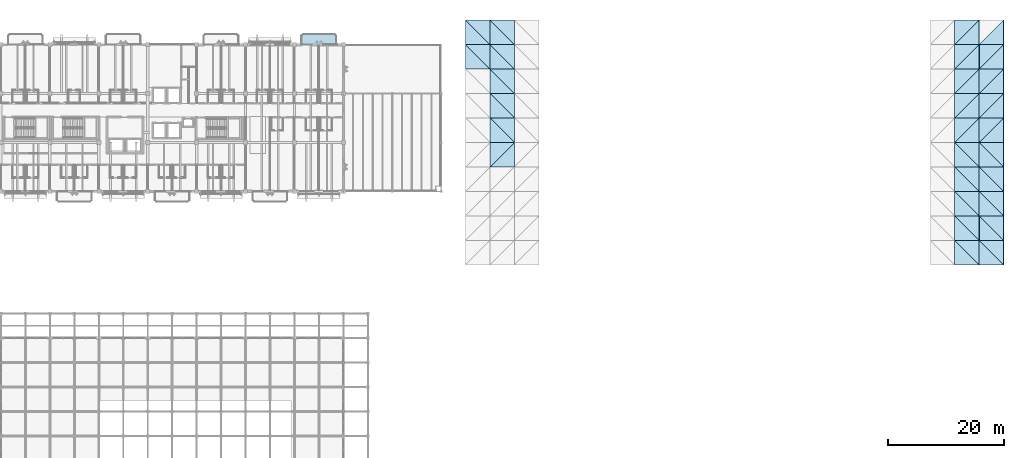
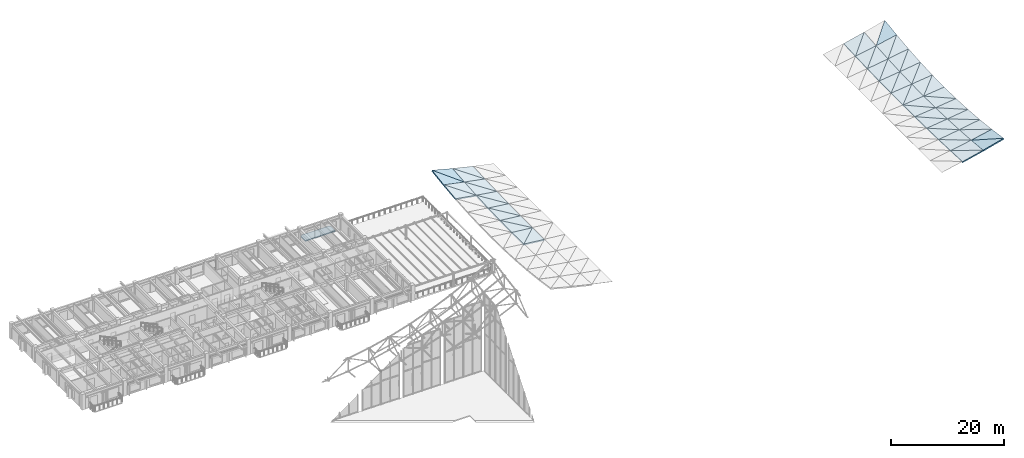
# One storey, part 64 of 93: 56 slabs.
"""IFC4 building model written with IfcOpenShell, lengths in metres."""

from ifc_helpers import new_model, si_unit, direction, frame, origin, place, context, subcontext, project, spatial, polyline, outline, extrude, material, layer, layer_set, type_object, element, save


model = new_model("IFC4")

# Units and contexts
model_context = context("Model", 3, precision=1e-05, world=origin(), true_north=direction((0.0, 1.0)))
body_context = subcontext(model_context, "Body", "Model", "MODEL_VIEW")
ifc_project = project(units=[si_unit("LENGTHUNIT", "METRE"), si_unit("AREAUNIT", "SQUARE_METRE"), si_unit("VOLUMEUNIT", "CUBIC_METRE"), si_unit("PLANEANGLEUNIT", "RADIAN"), si_unit("MASSUNIT", "GRAM", prefix="KILO")], contexts=[model_context])

# Site, building, storey
site_placement = place(None, origin())
site = spatial("IfcSite", under=ifc_project, at=site_placement, CompositionType="ELEMENT")
building_placement = place(site_placement, origin())
building = spatial("IfcBuilding", under=site, at=building_placement, Name="Cumbredor Promenade Congress Hotel", CompositionType="ELEMENT")
storey_placement = place(building_placement, frame((0.0, 0.0, 21.840087890625)))
storey = spatial("IfcBuildingStorey", under=building, at=storey_placement, Name="L06", CompositionType="ELEMENT", Elevation=21.840087890625)

# Slabs
ifc_material = material(Name="Concrete C40/50", Category="concrete")
ifc_layer_1 = layer(ifc_material, 0.215087890625, Name="Concrete C40/50", Category="concrete")
ifc_layer_set_1 = layer_set([ifc_layer_1], Name="Concrete C40/50")
slab_type_1 = type_object("IfcSlabType", Name="Cantilevered Guestroom Balcony Slab 215mm", PredefinedType="FLOOR", material=ifc_layer_set_1)
slab_1_placement = place(storey_placement, frame((0.0, 0.0, -0.215087890625)))
element("IfcSlab", 1, at=slab_1_placement, inside=storey, type_object=slab_type_1, Name="L06 Cantilevered Guestroom Veranda Balcony 037", PredefinedType="FLOOR", context=body_context, shape_type="SweptSolid", body=[
    extrude(outline(polyline([(59.949951171875, 117.60009765625), (66.050048828125, 117.60009765625), (66.050048828125, 119.10009765625), (65.699951171875, 119.449951171875), (60.300048828125, 119.449951171875), (59.949951171875, 119.10009765625), (59.949951171875, 117.60009765625)])), origin(), (0.0, 0.0, 1.0), 0.215087890625),
])
ifc_layer_2 = layer(ifc_material, 0.25, Name="Concrete C40/50", Category="concrete")
ifc_layer_set_2 = layer_set([ifc_layer_2], Name="Concrete C40/50")
slab_type_2 = type_object("IfcSlabType", Name="Catenary Space Frame Roof Deck 250mm", PredefinedType="ROOF", material=ifc_layer_set_2)
slab_2_placement = place(storey_placement, frame((88.199951171875, 113.39990234375, 1.671875), z_axis=(0.165866023254, -0.1110645416, 0.979874037787), x_axis=(0.985974066554, 0.0, -0.166898592211)))
element("IfcSlab", 2, at=slab_2_placement, inside=storey, type_object=slab_type_2, Name="Pre-Function and Breakout Meeting Forum Sweeping Roof Deck Facet 1.9.1", PredefinedType="ROOF", context=body_context, shape_type="SweptSolid", body=[
    extrude(outline(polyline([(0.0, 0.0), (4.259697404163872, 1.3877787807814457e-17), (-0.07945611689734887, 4.226342869478645), (0.0, 0.0)])), origin(), (0.0, 0.0, -1.0), 0.25),
])
slab_3_placement = place(storey_placement, frame((92.39990234375, 113.39990234375, 0.9609375), z_axis=(0.205848097711, -0.070011518083, 0.976076302348), x_axis=(0.0, 0.997437466129, 0.07154370107)))
element("IfcSlab", 3, at=slab_3_placement, inside=storey, type_object=slab_type_2, Name="Pre-Function and Breakout Meeting Forum Sweeping Roof Deck Facet 1.9.2", PredefinedType="ROOF", context=body_context, shape_type="SweptSolid", body=[
    extrude(outline(polyline([(0.0, 0.0), (4.210986107030819, -6.938893903907228e-18), (4.274355381318126, 4.291865958289911), (0.0, 0.0)])), origin(), (0.0, 0.0, -1.0), 0.25),
])
slab_4_placement = place(storey_placement, frame((88.199951171875, 117.60009765625, 2.14794921875), z_axis=(0.204288009474, -0.141165942599, 0.96867878362), x_axis=(0.978477306539, 0.0, -0.206354453765)))
element("IfcSlab", 4, at=slab_4_placement, inside=storey, type_object=slab_type_2, Name="Pre-Function and Breakout Meeting Forum Sweeping Roof Deck Facet 1.10.1", PredefinedType="ROOF", context=body_context, shape_type="SweptSolid", body=[
    extrude(outline(polyline([(0.0, 0.0), (4.292333755528742, -1.3877787807814457e-17), (-0.12630141982161122, 4.242435139224424), (0.0, 0.0)])), origin(), (0.0, 0.0, -1.0), 0.25),
])
slab_5_placement = place(storey_placement, frame((92.39990234375, 117.60009765625, 1.26220703125), z_axis=(0.254688053417, -0.088721003223, 0.9629447435), x_axis=(0.0, 0.995782395469, 0.091746503332)))
element("IfcSlab", 5, at=slab_5_placement, inside=storey, type_object=slab_type_2, Name="Pre-Function and Breakout Meeting Forum Sweeping Roof Deck Facet 1.10.2", PredefinedType="ROOF", context=body_context, shape_type="SweptSolid", body=[
    extrude(outline(polyline([(0.0, 0.0), (4.217739930917392, 1.3877787807814457e-17), (4.319655602343208, 4.343174898678907), (0.0, 0.0)])), origin(), (0.0, 0.0, -1.0), 0.25),
])
slab_6_placement = place(storey_placement, frame((92.39990234375, 96.60009765625, 0.616943359375), z_axis=(0.10937115934, 0.00485351898, 0.993989131157), x_axis=(0.994000838889, 0.0, -0.109372447571)))
element("IfcSlab", 6, at=slab_6_placement, inside=storey, type_object=slab_type_2, Name="Pre-Function and Breakout Meeting Forum Sweeping Roof Deck Facet 2.5.1", PredefinedType="ROOF", context=body_context, shape_type="SweptSolid", body=[
    extrude(outline(polyline([(0.0, 0.0), (4.225545037964062, 0.0), (4.2277880276115205, 4.200000641131519), (0.0, 0.0)])), origin(), (0.0, 0.0, -1.0), 0.25),
])
slab_7_placement = place(storey_placement, frame((92.39990234375, 96.60009765625, 0.616943359375), z_axis=(0.10411062157, 0.01017464438, 0.994513677678), x_axis=(0.704804204598, 0.704763237137, -0.080992671035)))
element("IfcSlab", 7, at=slab_7_placement, inside=storey, type_object=slab_type_2, Name="Pre-Function and Breakout Meeting Forum Sweeping Roof Deck Facet 2.5.2", PredefinedType="ROOF", context=body_context, shape_type="SweptSolid", body=[
    extrude(outline(polyline([(0.0, 0.0), (5.959378909913388, 2.1510571102112408e-16), (2.9634513375404326, 2.9764731360522254), (0.0, 0.0)])), origin(), (0.0, 0.0, -1.0), 0.25),
])
slab_8_placement = place(storey_placement, frame((92.39990234375, 100.800048828125, 0.573974609375), z_axis=(0.10411062157, -0.01017464438, 0.994513677678), x_axis=(0.994565159388, 0.0, -0.104116010931)))
element("IfcSlab", 8, at=slab_8_placement, inside=storey, type_object=slab_type_2, Name="Pre-Function and Breakout Meeting Forum Sweeping Roof Deck Facet 2.6.1", PredefinedType="ROOF", context=body_context, shape_type="SweptSolid", body=[
    extrude(outline(polyline([(0.0, 0.0), (4.223147445750039, 8.673617379884035e-19), (-0.004473734844692061, 4.200168585343603), (0.0, 0.0)])), origin(), (0.0, 0.0, -1.0), 0.25),
])
slab_9_placement = place(storey_placement, frame((96.60009765625, 100.800048828125, 0.13427734375), z_axis=(0.10937115934, -0.00485351898, 0.993989131157), x_axis=(0.0, 0.999988079007, 0.004882811058)))
element("IfcSlab", 9, at=slab_9_placement, inside=storey, type_object=slab_type_2, Name="Pre-Function and Breakout Meeting Forum Sweeping Roof Deck Facet 2.6.2", PredefinedType="ROOF", context=body_context, shape_type="SweptSolid", body=[
    extrude(outline(polyline([(0.0, 0.0), (4.200001240060259, 0.0), (4.2022578712451795, 4.225544435392722), (0.0, 0.0)])), origin(), (0.0, 0.0, -1.0), 0.25),
])
slab_10_placement = place(storey_placement, frame((92.39990234375, 105.0, 0.616943359375), z_axis=(0.109321391168, -0.030551705024, 0.993536827075), x_axis=(0.994000838889, 0.0, -0.109372447571)))
element("IfcSlab", 10, at=slab_10_placement, inside=storey, type_object=slab_type_2, Name="Pre-Function and Breakout Meeting Forum Sweeping Roof Deck Facet 2.7.1", PredefinedType="ROOF", context=body_context, shape_type="SweptSolid", body=[
    extrude(outline(polyline([(0.0, 0.0), (4.225545037964062, 0.0), (-0.014125494327449053, 4.201912676382362), (0.0, 0.0)])), origin(), (0.0, 0.0, -1.0), 0.25),
])
slab_11_placement = place(storey_placement, frame((96.60009765625, 105.0, 0.15478515625), z_axis=(0.125242416394, -0.014416401549, 0.992021423409), x_axis=(0.0, 0.999894422139, 0.014530814715)))
element("IfcSlab", 11, at=slab_11_placement, inside=storey, type_object=slab_type_2, Name="Pre-Function and Breakout Meeting Forum Sweeping Roof Deck Facet 2.7.2", PredefinedType="ROOF", context=body_context, shape_type="SweptSolid", body=[
    extrude(outline(polyline([(0.0, 0.0), (4.20039464055851, -1.734723475976807e-18), (4.208099945626877, 4.233529403457457), (0.0, 0.0)])), origin(), (0.0, 0.0, -1.0), 0.25),
])
slab_12_placement = place(storey_placement, frame((92.39990234375, 109.199951171875, 0.74609375), z_axis=(0.12509443609, -0.05068577478, 0.990849299487), x_axis=(0.992124526693, 0.0, -0.125255433154)))
element("IfcSlab", 12, at=slab_12_placement, inside=storey, type_object=slab_type_2, Name="Pre-Function and Breakout Meeting Forum Sweeping Roof Deck Facet 2.8.1", PredefinedType="ROOF", context=body_context, shape_type="SweptSolid", body=[
    extrude(outline(polyline([(0.0, 0.0), (4.233536415535484, -6.938893903907228e-18), (-0.026910346966622357, 4.205356526654357), (0.0, 0.0)])), origin(), (0.0, 0.0, -1.0), 0.25),
])
slab_13_placement = place(storey_placement, frame((96.60009765625, 109.199951171875, 0.2158203125), z_axis=(0.151296799152, -0.024011290155, 0.988196709421), x_axis=(0.0, 0.99970493212, 0.024290917958)))
element("IfcSlab", 13, at=slab_13_placement, inside=storey, type_object=slab_type_2, Name="Pre-Function and Breakout Meeting Forum Sweeping Roof Deck Facet 2.8.2", PredefinedType="ROOF", context=body_context, shape_type="SweptSolid", body=[
    extrude(outline(polyline([(0.0, 0.0), (4.201190808340883, -1.734723475976807e-18), (4.216811481656447, 4.249109443231538), (0.0, 0.0)])), origin(), (0.0, 0.0, -1.0), 0.25),
])
slab_14_placement = place(storey_placement, frame((92.39990234375, 113.39990234375, 0.9609375), z_axis=(0.150961466671, -0.070723785069, 0.986006481625), x_axis=(0.98848170114, 0.0, -0.151340432504)))
element("IfcSlab", 14, at=slab_14_placement, inside=storey, type_object=slab_type_2, Name="Pre-Function and Breakout Meeting Forum Sweeping Roof Deck Facet 2.9.1", PredefinedType="ROOF", context=body_context, shape_type="SweptSolid", body=[
    extrude(outline(polyline([(0.0, 0.0), (4.249138155672779, 6.938893903907228e-18), (-0.04559426115973975, 4.210739264898251), (0.0, 0.0)])), origin(), (0.0, 0.0, -1.0), 0.25),
])
slab_15_placement = place(storey_placement, frame((96.60009765625, 113.39990234375, 0.31787109375), z_axis=(0.187340829215, -0.03338238961, 0.981727574113), x_axis=(0.0, 0.999422374374, 0.033984078645)))
element("IfcSlab", 15, at=slab_15_placement, inside=storey, type_object=slab_type_2, Name="Pre-Function and Breakout Meeting Forum Sweeping Roof Deck Facet 2.9.2", PredefinedType="ROOF", context=body_context, shape_type="SweptSolid", body=[
    extrude(outline(polyline([(0.0, 0.0), (4.202622855159053, -3.469446951953614e-18), (4.2298615588190955, 4.275900242331717), (0.0, 0.0)])), origin(), (0.0, 0.0, -1.0), 0.25),
])
slab_16_placement = place(storey_placement, frame((92.39990234375, 117.60009765625, 1.26220703125), z_axis=(0.186682339101, -0.090133630055, 0.978276869297), x_axis=(0.982275042442, 0.0, -0.187445301345)))
element("IfcSlab", 16, at=slab_16_placement, inside=storey, type_object=slab_type_2, Name="Pre-Function and Breakout Meeting Forum Sweeping Roof Deck Facet 2.10.1", PredefinedType="ROOF", context=body_context, shape_type="SweptSolid", body=[
    extrude(outline(polyline([(0.0, 0.0), (4.2759870006057685, 0.0), (-0.07253437564245839, 4.217116181610984), (0.0, 0.0)])), origin(), (0.0, 0.0, -1.0), 0.25),
])
slab_17_placement = place(storey_placement, frame((96.60009765625, 117.60009765625, 0.460693359375), z_axis=(0.232470169214, -0.042475152888, 0.971675605237), x_axis=(0.0, 0.99904594053, 0.043671600725)))
element("IfcSlab", 17, at=slab_17_placement, inside=storey, type_object=slab_type_2, Name="Pre-Function and Breakout Meeting Forum Sweeping Roof Deck Facet 2.10.2", PredefinedType="ROOF", context=body_context, shape_type="SweptSolid", body=[
    extrude(outline(polyline([(0.0, 0.0), (4.203962001632894, -1.3877787807814457e-17), (4.2478468425961955, 4.318507178497971), (0.0, 0.0)])), origin(), (0.0, 0.0, -1.0), 0.25),
])
slab_18_placement = place(storey_placement, frame((172.199951171875, 79.800048828125, 0.644287109375), z_axis=(-0.232482952211, 0.042475019451, 0.971672552692), x_axis=(0.972550250958, 0.0, 0.232692950819)))
element("IfcSlab", 18, at=slab_18_placement, inside=storey, type_object=slab_type_2, Name="Pre-Function and Breakout Meeting Forum Sweeping Roof Deck Facet 21.1.1", PredefinedType="ROOF", context=body_context, shape_type="SweptSolid", body=[
    extrude(outline(polyline([(0.0, 0.0), (4.318492713087761, 6.938893903907228e-18), (-0.04272097143947934, 4.203744929199738), (0.0, 0.0)])), origin(), (0.0, 0.0, -1.0), 0.25),
])
slab_19_placement = place(storey_placement, frame((176.39990234375, 79.800048828125, 1.649169921875), z_axis=(-0.186692812615, 0.090133447455, 0.978274887426), x_axis=(0.0, 0.995782395469, -0.091746503332)))
element("IfcSlab", 19, at=slab_19_placement, inside=storey, type_object=slab_type_2, Name="Pre-Function and Breakout Meeting Forum Sweeping Roof Deck Facet 21.1.2", PredefinedType="ROOF", context=body_context, shape_type="SweptSolid", body=[
    extrude(outline(polyline([(0.0, 0.0), (4.217739930917392, 0.0), (4.291276007684635, 4.275114788839057), (0.0, 0.0)])), origin(), (0.0, 0.0, -1.0), 0.25),
])
slab_20_placement = place(storey_placement, frame((172.199951171875, 84.0, 0.460693359375), z_axis=(-0.187351324853, 0.033384259835, 0.981725507599), x_axis=(0.982273036172, 0.0, 0.187455814553)))
element("IfcSlab", 20, at=slab_20_placement, inside=storey, type_object=slab_type_2, Name="Pre-Function and Breakout Meeting Forum Sweeping Roof Deck Facet 21.2.1", PredefinedType="ROOF", context=body_context, shape_type="SweptSolid", body=[
    extrude(outline(polyline([(0.0, 0.0), (4.275747187607885, -3.469446951953614e-18), (-0.026772864139014762, 4.202293571305822), (0.0, 0.0)])), origin(), (0.0, 0.0, -1.0), 0.25),
])
slab_21_placement = place(storey_placement, frame((176.39990234375, 84.0, 1.26220703125), z_axis=(-0.150969998072, 0.070727781937, 0.986004888702), x_axis=(0.0, 0.997437169347, -0.071547838573)))
element("IfcSlab", 21, at=slab_21_placement, inside=storey, type_object=slab_type_2, Name="Pre-Function and Breakout Meeting Forum Sweeping Roof Deck Facet 21.2.2", PredefinedType="ROOF", context=body_context, shape_type="SweptSolid", body=[
    extrude(outline(polyline([(0.0, 0.0), (4.210742592060666, 0.0), (4.256752603486881, 4.248647705780044), (0.0, 0.0)])), origin(), (0.0, 0.0, -1.0), 0.25),
])
slab_22_placement = place(storey_placement, frame((172.199951171875, 88.199951171875, 0.31787109375), z_axis=(-0.151305392608, 0.024011258204, 0.988195394468), x_axis=(0.988480385049, 0.0, 0.151349028322)))
element("IfcSlab", 22, at=slab_22_placement, inside=storey, type_object=slab_type_2, Name="Pre-Function and Breakout Meeting Forum Sweeping Roof Deck Facet 21.3.1", PredefinedType="ROOF", context=body_context, shape_type="SweptSolid", body=[
    extrude(outline(polyline([(0.0, 0.0), (4.2488968272931125, -1.734723475976807e-18), (-0.015445286581658665, 4.201162416666407), (0.0, 0.0)])), origin(), (0.0, 0.0, -1.0), 0.25),
])
slab_23_placement = place(storey_placement, frame((176.39990234375, 88.199951171875, 0.9609375), z_axis=(-0.125101593952, 0.050685728673, 0.990848398141), x_axis=(0.0, 0.998694202987, -0.051087071943)))
element("IfcSlab", 23, at=slab_23_placement, inside=storey, type_object=slab_type_2, Name="Pre-Function and Breakout Meeting Forum Sweeping Roof Deck Facet 21.3.2", PredefinedType="ROOF", context=body_context, shape_type="SweptSolid", body=[
    extrude(outline(polyline([(0.0, 0.0), (4.205442626293723, 3.469446951953614e-18), (4.232532743544542, 4.233207517970221), (0.0, 0.0)])), origin(), (0.0, 0.0, -1.0), 0.25),
])
slab_24_placement = place(storey_placement, frame((172.199951171875, 92.39990234375, 0.2158203125), z_axis=(-0.125249583968, 0.014415550611, 0.992020530844), x_axis=(0.992123621862, 0.0, 0.125262599935)))
element("IfcSlab", 24, at=slab_24_placement, inside=storey, type_object=slab_type_2, Name="Pre-Function and Breakout Meeting Forum Sweeping Roof Deck Facet 21.4.1", PredefinedType="ROOF", context=body_context, shape_type="SweptSolid", body=[
    extrude(outline(polyline([(0.0, 0.0), (4.23329419774391, 1.734723475976807e-18), (-0.007645422359326191, 4.200631797832606), (0.0, 0.0)])), origin(), (0.0, 0.0, -1.0), 0.25),
])
slab_25_placement = place(storey_placement, frame((176.39990234375, 92.39990234375, 0.74609375), z_axis=(-0.109327675932, 0.030549909608, 0.993536190734), x_axis=(0.0, 0.99952759482, -0.030734137274)))
element("IfcSlab", 25, at=slab_25_placement, inside=storey, type_object=slab_type_2, Name="Pre-Function and Breakout Meeting Forum Sweeping Roof Deck Facet 21.4.2", PredefinedType="ROOF", context=body_context, shape_type="SweptSolid", body=[
    extrude(outline(polyline([(0.0, 0.0), (4.202180444310497, -1.734723475976807e-18), (4.216384477967584, 4.225278487422787), (0.0, 0.0)])), origin(), (0.0, 0.0, -1.0), 0.25),
])
slab_26_placement = place(storey_placement, frame((172.199951171875, 96.60009765625, 0.15478515625), z_axis=(-0.109377440962, 0.004853515605, 0.99398843997), x_axis=(0.994000147678, 0.0, 0.109378729266)))
element("IfcSlab", 26, at=slab_26_placement, inside=storey, type_object=slab_type_2, Name="Pre-Function and Breakout Meeting Forum Sweeping Roof Deck Facet 21.5.1", PredefinedType="ROOF", context=body_context, shape_type="SweptSolid", body=[
    extrude(outline(polyline([(0.0, 0.0), (4.225302362062378, 0.0), (-0.0022431184712656295, 4.200000641062719), (0.0, 0.0)])), origin(), (0.0, 0.0, -1.0), 0.25),
])
slab_27_placement = place(storey_placement, frame((176.39990234375, 96.60009765625, 0.616943359375), z_axis=(-0.104116607856, 0.010174637969, 0.994513051051), x_axis=(0.0, 0.999947669743, -0.010230238323)))
element("IfcSlab", 27, at=slab_27_placement, inside=storey, type_object=slab_type_2, Name="Pre-Function and Breakout Meeting Forum Sweeping Roof Deck Facet 21.5.2", PredefinedType="ROOF", context=body_context, shape_type="SweptSolid", body=[
    extrude(outline(polyline([(0.0, 0.0), (4.2001709679024675, 8.673617379884035e-19), (4.204669175719888, 4.222902236336845), (0.0, 0.0)])), origin(), (0.0, 0.0, -1.0), 0.25),
])
slab_28_placement = place(storey_placement, frame((172.199951171875, 100.800048828125, 0.13427734375), z_axis=(-0.104116607856, -0.010174637969, 0.994513051051), x_axis=(0.994564532664, 0.0, 0.104121997519)))
element("IfcSlab", 28, at=slab_28_placement, inside=storey, type_object=slab_type_2, Name="Pre-Function and Breakout Meeting Forum Sweeping Roof Deck Facet 21.6.1", PredefinedType="ROOF", context=body_context, shape_type="SweptSolid", body=[
    extrude(outline(polyline([(0.0, 0.0), (4.222904632066925, 0.0), (4.227378624147839, 4.200168585069606), (0.0, 0.0)])), origin(), (0.0, 0.0, -1.0), 0.25),
])
slab_29_placement = place(storey_placement, frame((172.199951171875, 100.800048828125, 0.13427734375), z_axis=(-0.109377440962, -0.004853515605, 0.99398843997), x_axis=(0.704783586788, 0.704783586788, 0.080995009654)))
element("IfcSlab", 29, at=slab_29_placement, inside=storey, type_object=slab_type_2, Name="Pre-Function and Breakout Meeting Forum Sweeping Roof Deck Facet 21.6.2", PredefinedType="ROOF", context=body_context, shape_type="SweptSolid", body=[
    extrude(outline(polyline([(0.0, 0.0), (5.95920684109116, -4.579669976578771e-16), (2.961717681719374, 2.9779588295170467), (0.0, 0.0)])), origin(), (0.0, 0.0, -1.0), 0.25),
])
slab_30_placement = place(storey_placement, frame((172.199951171875, 105.0, 0.15478515625), z_axis=(-0.109327670001, -0.030551683798, 0.993536136831), x_axis=(0.994000147678, 0.0, 0.109378729266)))
element("IfcSlab", 30, at=slab_30_placement, inside=storey, type_object=slab_type_2, Name="Pre-Function and Breakout Meeting Forum Sweeping Roof Deck Facet 21.7.1", PredefinedType="ROOF", context=body_context, shape_type="SweptSolid", body=[
    extrude(outline(polyline([(0.0, 0.0), (4.225302362062378, -1.734723475976807e-18), (4.239428667673087, 4.2019126736550065), (0.0, 0.0)])), origin(), (0.0, 0.0, -1.0), 0.25),
])
slab_31_placement = place(storey_placement, frame((172.199951171875, 105.0, 0.15478515625), z_axis=(-0.125249582455, -0.014416388404, 0.992020518861), x_axis=(0.703628607072, 0.703628607072, 0.099063447441)))
element("IfcSlab", 31, at=slab_31_placement, inside=storey, type_object=slab_type_2, Name="Pre-Function and Breakout Meeting Forum Sweeping Roof Deck Facet 21.7.2", PredefinedType="ROOF", context=body_context, shape_type="SweptSolid", body=[
    extrude(outline(polyline([(0.0, 0.0), (5.968988653474806, 4.85722573273506e-17), (2.9612521458314234, 2.9789764794710023), (0.0, 0.0)])), origin(), (0.0, 0.0, -1.0), 0.25),
])
slab_32_placement = place(storey_placement, frame((172.199951171875, 109.199951171875, 0.2158203125), z_axis=(-0.125101593952, -0.050685728673, 0.990848398141), x_axis=(0.992123621862, 0.0, 0.125262599935)))
element("IfcSlab", 32, at=slab_32_placement, inside=storey, type_object=slab_type_2, Name="Pre-Function and Breakout Meeting Forum Sweeping Roof Deck Facet 21.8.1", PredefinedType="ROOF", context=body_context, shape_type="SweptSolid", body=[
    extrude(outline(polyline([(0.0, 0.0), (4.23329419774391, -1.0408340855860843e-17), (4.260206084448738, 4.20535651680119), (0.0, 0.0)])), origin(), (0.0, 0.0, -1.0), 0.25),
])
slab_33_placement = place(storey_placement, frame((172.199951171875, 109.199951171875, 0.2158203125), z_axis=(-0.151305392608, -0.024011258204, 0.988195394468), x_axis=(0.701607621569, 0.701607621569, 0.124472851307)))
element("IfcSlab", 33, at=slab_33_placement, inside=storey, type_object=slab_type_2, Name="Pre-Function and Breakout Meeting Forum Sweeping Roof Deck Facet 21.8.2", PredefinedType="ROOF", context=body_context, shape_type="SweptSolid", body=[
    extrude(outline(polyline([(0.0, 0.0), (5.986182365696545, 4.0245584642661925e-16), (2.9594203041256657, 2.9819181195359263), (0.0, 0.0)])), origin(), (0.0, 0.0, -1.0), 0.25),
])
slab_34_placement = place(storey_placement, frame((172.199951171875, 113.39990234375, 0.31787109375), z_axis=(-0.150970041969, -0.070723691376, 0.986005175395), x_axis=(0.988480385049, 0.0, 0.151349028322)))
element("IfcSlab", 34, at=slab_34_placement, inside=storey, type_object=slab_type_2, Name="Pre-Function and Breakout Meeting Forum Sweeping Roof Deck Facet 21.9.1", PredefinedType="ROOF", context=body_context, shape_type="SweptSolid", body=[
    extrude(outline(polyline([(0.0, 0.0), (4.2488968272931125, 0.0), (4.294493678110737, 4.210739236856407), (0.0, 0.0)])), origin(), (0.0, 0.0, -1.0), 0.25),
])
slab_35_placement = place(storey_placement, frame((172.199951171875, 113.39990234375, 0.31787109375), z_axis=(-0.18735133699, -0.033382321504, 0.981725571196), x_axis=(0.698315966434, 0.698356559119, 0.157012507014)))
element("IfcSlab", 35, at=slab_35_placement, inside=storey, type_object=slab_type_2, Name="Pre-Function and Breakout Meeting Forum Sweeping Roof Deck Facet 21.9.2", PredefinedType="ROOF", context=body_context, shape_type="SweptSolid", body=[
    extrude(outline(polyline([(0.0, 0.0), (6.01439946063904, -1.1934897514720433e-15), (2.955658828049152, 2.9876612516951027), (0.0, 0.0)])), origin(), (0.0, 0.0, -1.0), 0.25),
])
slab_36_placement = place(storey_placement, frame((172.199951171875, 117.60009765625, 0.460693359375), z_axis=(-0.186692812615, -0.090133447455, 0.978274887426), x_axis=(0.982273036172, 0.0, 0.187455814553)))
element("IfcSlab", 36, at=slab_36_placement, inside=storey, type_object=slab_type_2, Name="Pre-Function and Breakout Meeting Forum Sweeping Roof Deck Facet 21.10.1", PredefinedType="ROOF", context=body_context, shape_type="SweptSolid", body=[
    extrude(outline(polyline([(0.0, 0.0), (4.275747187607885, 1.3877787807814457e-17), (4.348285631471711, 4.217116111635636), (0.0, 0.0)])), origin(), (0.0, 0.0, -1.0), 0.25),
])
slab_37_placement = place(storey_placement, frame((172.199951171875, 117.60009765625, 0.460693359375), z_axis=(-0.232482952211, -0.042475019451, 0.971672552692), x_axis=(0.693362873527, 0.693362873527, 0.196203596369)))
element("IfcSlab", 37, at=slab_37_placement, inside=storey, type_object=slab_type_2, Name="Pre-Function and Breakout Meeting Forum Sweeping Roof Deck Facet 21.10.2", PredefinedType="ROOF", context=body_context, shape_type="SweptSolid", body=[
    extrude(outline(polyline([(0.0, 0.0), (6.057363802173367, 1.3877787807814457e-16), (2.9481119672262945, 2.9969872104949595), (0.0, 0.0)])), origin(), (0.0, 0.0, -1.0), 0.25),
])
slab_38_placement = place(storey_placement, frame((176.39990234375, 79.800048828125, 1.649169921875), z_axis=(-0.254674209613, 0.088721337729, 0.962948374104), x_axis=(0.966760808436, 0.0, 0.255682497)))
element("IfcSlab", 38, at=slab_38_placement, inside=storey, type_object=slab_type_2, Name="Pre-Function and Breakout Meeting Forum Sweeping Roof Deck Facet 22.1.1", PredefinedType="ROOF", context=body_context, shape_type="SweptSolid", body=[
    extrude(outline(polyline([(0.0, 0.0), (4.344606520918724, 0.0), (-0.09893963812125042, 4.216579309447823), (0.0, 0.0)])), origin(), (0.0, 0.0, -1.0), 0.25),
])
slab_39_placement = place(storey_placement, frame((180.60009765625, 79.800048828125, 2.760009765625), z_axis=(-0.204276630547, 0.141166285032, 0.968681133388), x_axis=(0.0, 0.989547521498, -0.144207152031)))
element("IfcSlab", 39, at=slab_39_placement, inside=storey, type_object=slab_type_2, Name="Pre-Function and Breakout Meeting Forum Sweeping Roof Deck Facet 22.1.2", PredefinedType="ROOF", context=body_context, shape_type="SweptSolid", body=[
    extrude(outline(polyline([(0.0, 0.0), (4.244314780877487, 0.0), (4.3720451391709005, 4.290671840333923), (0.0, 0.0)])), origin(), (0.0, 0.0, -1.0), 0.25),
])
slab_40_placement = place(storey_placement, frame((176.39990234375, 84.0, 1.26220703125), z_axis=(-0.205836580891, 0.070015740304, 0.976078428241), x_axis=(0.978479728337, 0.0, 0.206342969914)))
element("IfcSlab", 40, at=slab_40_placement, inside=storey, type_object=slab_type_2, Name="Pre-Function and Breakout Meeting Forum Sweeping Roof Deck Facet 22.2.1", PredefinedType="ROOF", context=body_context, shape_type="SweptSolid", body=[
    extrude(outline(polyline([(0.0, 0.0), (4.292572641885545, 0.0), (-0.062164849822846535, 4.210283684983744), (0.0, 0.0)])), origin(), (0.0, 0.0, -1.0), 0.25),
])
slab_41_placement = place(storey_placement, frame((180.60009765625, 84.0, 2.14794921875), z_axis=(-0.165856528412, 0.111071095682, 0.97987490206), x_axis=(0.0, 0.99363687889, -0.112631047715)))
element("IfcSlab", 41, at=slab_41_placement, inside=storey, type_object=slab_type_2, Name="Pre-Function and Breakout Meeting Forum Sweeping Roof Deck Facet 22.2.2", PredefinedType="ROOF", context=body_context, shape_type="SweptSolid", body=[
    extrude(outline(polyline([(0.0, 0.0), (4.226847111960948, 0.0), (4.306920747445615, 4.2591854860939655), (0.0, 0.0)])), origin(), (0.0, 0.0, -1.0), 0.25),
])
slab_42_placement = place(storey_placement, frame((176.39990234375, 88.199951171875, 0.9609375), z_axis=(-0.166677295943, 0.05037244046, 0.984723969577), x_axis=(0.985975662911, 0.0, 0.166889161265)))
element("IfcSlab", 42, at=slab_42_placement, inside=storey, type_object=slab_type_2, Name="Pre-Function and Breakout Meeting Forum Sweeping Roof Deck Facet 22.3.1", PredefinedType="ROOF", context=body_context, shape_type="SweptSolid", body=[
    extrude(outline(polyline([(0.0, 0.0), (4.2599381206835885, 6.938893903907228e-18), (-0.0358550932404424, 4.205289775430103), (0.0, 0.0)])), origin(), (0.0, 0.0, -1.0), 0.25),
])
slab_43_placement = place(storey_placement, frame((180.60009765625, 88.199951171875, 1.671875), z_axis=(-0.137722963854, 0.079883962372, 0.987244112559), x_axis=(0.0, 0.996742279365, -0.08065251717)))
element("IfcSlab", 43, at=slab_43_placement, inside=storey, type_object=slab_type_2, Name="Pre-Function and Breakout Meeting Forum Sweeping Roof Deck Facet 22.3.2", PredefinedType="ROOF", context=body_context, shape_type="SweptSolid", body=[
    extrude(outline(polyline([(0.0, 0.0), (4.213678158159241, 6.938893903907228e-18), (4.260935492438566, 4.240604928711237), (0.0, 0.0)])), origin(), (0.0, 0.0, -1.0), 0.25),
])
slab_44_placement = place(storey_placement, frame((176.39990234375, 92.39990234375, 0.74609375), z_axis=(-0.138100489669, 0.030439649598, 0.989950343444), x_axis=(0.990409292673, 0.0, 0.138164514207)))
element("IfcSlab", 44, at=slab_44_placement, inside=storey, type_object=slab_type_2, Name="Pre-Function and Breakout Meeting Forum Sweeping Roof Deck Facet 22.4.1", PredefinedType="ROOF", context=body_context, shape_type="SweptSolid", body=[
    extrude(outline(polyline([(0.0, 0.0), (4.240868238586673, 0.0), (-0.01784400098034061, 4.20214255804995), (0.0, 0.0)])), origin(), (0.0, 0.0, -1.0), 0.25),
])
slab_45_placement = place(storey_placement, frame((180.60009765625, 92.39990234375, 1.33203125), z_axis=(-0.120627061209, 0.0481816642, 0.991527931699), x_axis=(0.0, 0.998821429969, -0.048536079717)))
element("IfcSlab", 45, at=slab_45_placement, inside=storey, type_object=slab_type_2, Name="Pre-Function and Breakout Meeting Forum Sweeping Roof Deck Facet 22.4.2", PredefinedType="ROOF", context=body_context, shape_type="SweptSolid", body=[
    extrude(outline(polyline([(0.0, 0.0), (4.2051513778890195, 0.0), (4.22995265104528, 4.231091181660764), (0.0, 0.0)])), origin(), (0.0, 0.0, -1.0), 0.25),
])
slab_46_placement = place(storey_placement, frame((176.39990234375, 96.60009765625, 0.616943359375), z_axis=(-0.120761094064, 0.010155369343, 0.992629652304), x_axis=(0.99268084197, 0.0, 0.120767321683)))
element("IfcSlab", 46, at=slab_46_placement, inside=storey, type_object=slab_type_2, Name="Pre-Function and Breakout Meeting Forum Sweeping Roof Deck Facet 22.5.1", PredefinedType="ROOF", context=body_context, shape_type="SweptSolid", body=[
    extrude(outline(polyline([(0.0, 0.0), (4.23116386951364, -8.673617379884035e-19), (-0.005189220853586302, 4.200167762315892), (0.0, 0.0)])), origin(), (0.0, 0.0, -1.0), 0.25),
])
slab_47_placement = place(storey_placement, frame((180.60009765625, 96.60009765625, 1.1279296875), z_axis=(-0.114889722975, 0.016108590956, 0.993247635211), x_axis=(0.0, 0.99986851253, -0.016215969017)))
element("IfcSlab", 47, at=slab_47_placement, inside=storey, type_object=slab_type_2, Name="Pre-Function and Breakout Meeting Forum Sweeping Roof Deck Facet 22.5.2", PredefinedType="ROOF", context=body_context, shape_type="SweptSolid", body=[
    extrude(outline(polyline([(0.0, 0.0), (4.200503485451256, 0.0), (4.2083818493046286, 4.228193343297465), (0.0, 0.0)])), origin(), (0.0, 0.0, -1.0), 0.25),
])
slab_48_placement = place(storey_placement, frame((176.39990234375, 100.800048828125, 0.573974609375), z_axis=(-0.114889722975, -0.016108590956, 0.993247635211), x_axis=(0.993376527573, 0.0, 0.114904632055)))
element("IfcSlab", 48, at=slab_48_placement, inside=storey, type_object=slab_type_2, Name="Pre-Function and Breakout Meeting Forum Sweeping Roof Deck Facet 22.6.1", PredefinedType="ROOF", context=body_context, shape_type="SweptSolid", body=[
    extrude(outline(polyline([(0.0, 0.0), (4.228200683141944, 0.0), (4.236027439085126, 4.200496193687069), (0.0, 0.0)])), origin(), (0.0, 0.0, -1.0), 0.25),
])
slab_49_placement = place(storey_placement, frame((176.39990234375, 100.800048828125, 0.573974609375), z_axis=(-0.120761094064, -0.010155369343, 0.992629652304), x_axis=(0.704072050824, 0.704031125919, 0.092858607494)))
element("IfcSlab", 49, at=slab_49_placement, inside=storey, type_object=slab_type_2, Name="Pre-Function and Breakout Meeting Forum Sweeping Roof Deck Facet 22.6.2", PredefinedType="ROOF", context=body_context, shape_type="SweptSolid", body=[
    extrude(outline(polyline([(0.0, 0.0), (5.965575977042086, 2.8449465006019636e-16), (2.960886370632634, 2.979024682645758), (0.0, 0.0)])), origin(), (0.0, 0.0, -1.0), 0.25),
])
slab_50_placement = place(storey_placement, frame((176.39990234375, 105.0, 0.616943359375), z_axis=(-0.120627044931, -0.048184458469, 0.991527797892), x_axis=(0.99268084197, 0.0, 0.120767321683)))
element("IfcSlab", 50, at=slab_50_placement, inside=storey, type_object=slab_type_2, Name="Pre-Function and Breakout Meeting Forum Sweeping Roof Deck Facet 22.7.1", PredefinedType="ROOF", context=body_context, shape_type="SweptSolid", body=[
    extrude(outline(polyline([(0.0, 0.0), (4.23116386951364, -3.469446951953614e-18), (4.255812668568176, 4.204835279847987), (0.0, 0.0)])), origin(), (0.0, 0.0, -1.0), 0.25),
])
slab_51_placement = place(storey_placement, frame((176.39990234375, 105.0, 0.616943359375), z_axis=(-0.138100482231, -0.030441417397, 0.989950290123), x_axis=(0.702057974039, 0.702017166205, 0.119526145429)))
element("IfcSlab", 51, at=slab_51_placement, inside=storey, type_object=slab_type_2, Name="Pre-Function and Breakout Meeting Forum Sweeping Roof Deck Facet 22.7.2", PredefinedType="ROOF", context=body_context, shape_type="SweptSolid", body=[
    extrude(outline(polyline([(0.0, 0.0), (5.982690130752192, 3.2612801348363973e-16), (2.9638746682523256, 2.9785427007892546), (0.0, 0.0)])), origin(), (0.0, 0.0, -1.0), 0.25),
])
slab_52_placement = place(storey_placement, frame((176.39990234375, 109.199951171875, 0.74609375), z_axis=(-0.137722963854, -0.079883962372, 0.987244112559), x_axis=(0.990409292673, 0.0, 0.138164514207)))
element("IfcSlab", 52, at=slab_52_placement, inside=storey, type_object=slab_type_2, Name="Pre-Function and Breakout Meeting Forum Sweeping Roof Deck Facet 22.8.1", PredefinedType="ROOF", context=body_context, shape_type="SweptSolid", body=[
    extrude(outline(polyline([(0.0, 0.0), (4.240868238586673, 0.0), (4.28782258521169, 4.213416536479779), (0.0, 0.0)])), origin(), (0.0, 0.0, -1.0), 0.25),
])
slab_53_placement = place(storey_placement, frame((176.39990234375, 109.199951171875, 0.74609375), z_axis=(-0.166677295943, -0.05037244046, 0.984723969577), x_axis=(0.698691754278, 0.698651142109, 0.154001344584)))
element("IfcSlab", 53, at=slab_53_placement, inside=storey, type_object=slab_type_2, Name="Pre-Function and Breakout Meeting Forum Sweeping Roof Deck Facet 22.8.2", PredefinedType="ROOF", context=body_context, shape_type="SweptSolid", body=[
    extrude(outline(polyline([(0.0, 0.0), (6.011514071524139, 0.0), (2.967386909408193, 2.979993726993589), (0.0, 0.0)])), origin(), (0.0, 0.0, -1.0), 0.25),
])
slab_54_placement = place(storey_placement, frame((176.39990234375, 113.39990234375, 0.9609375), z_axis=(-0.165856647342, -0.111064719202, 0.979875604697), x_axis=(0.985975662911, 0.0, 0.166889161265)))
element("IfcSlab", 54, at=slab_54_placement, inside=storey, type_object=slab_type_2, Name="Pre-Function and Breakout Meeting Forum Sweeping Roof Deck Facet 22.9.1", PredefinedType="ROOF", context=body_context, shape_type="SweptSolid", body=[
    extrude(outline(polyline([(0.0, 0.0), (4.2599381206835885, -1.3877787807814457e-17), (4.339389747750477, 4.2263429538859985), (0.0, 0.0)])), origin(), (0.0, 0.0, -1.0), 0.25),
])
slab_55_placement = place(storey_placement, frame((176.39990234375, 113.39990234375, 0.9609375), z_axis=(-0.205836639542, -0.070011690517, 0.976078706362), x_axis=(0.693397301857, 0.693397301857, 0.195960107047)))
element("IfcSlab", 55, at=slab_55_placement, inside=storey, type_object=slab_type_2, Name="Pre-Function and Breakout Meeting Forum Sweeping Roof Deck Facet 22.9.2", PredefinedType="ROOF", context=body_context, shape_type="SweptSolid", body=[
    extrude(outline(polyline([(0.0, 0.0), (6.05741513739514, -4.0245584642661925e-16), (2.971440906555273, 2.9837799738681388), (0.0, 0.0)])), origin(), (0.0, 0.0, -1.0), 0.25),
])
slab_56_placement = place(storey_placement, frame((176.39990234375, 117.60009765625, 1.26220703125), z_axis=(-0.204276630547, -0.141166285032, 0.968681133388), x_axis=(0.978479728337, 0.0, 0.206342969914)))
element("IfcSlab", 56, at=slab_56_placement, inside=storey, type_object=slab_type_2, Name="Pre-Function and Breakout Meeting Forum Sweeping Roof Deck Facet 22.10.1", PredefinedType="ROOF", context=body_context, shape_type="SweptSolid", body=[
    extrude(outline(polyline([(0.0, 0.0), (4.292572641885545, 1.3877787807814457e-17), (4.41886703289517, 4.242435348473164), (0.0, 0.0)])), origin(), (0.0, 0.0, -1.0), 0.25),
])

save(model, "model.ifc")
